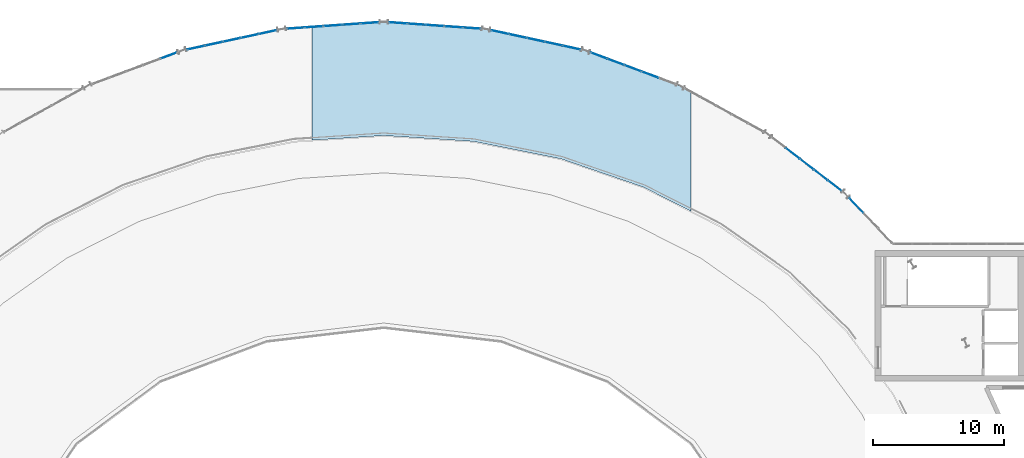
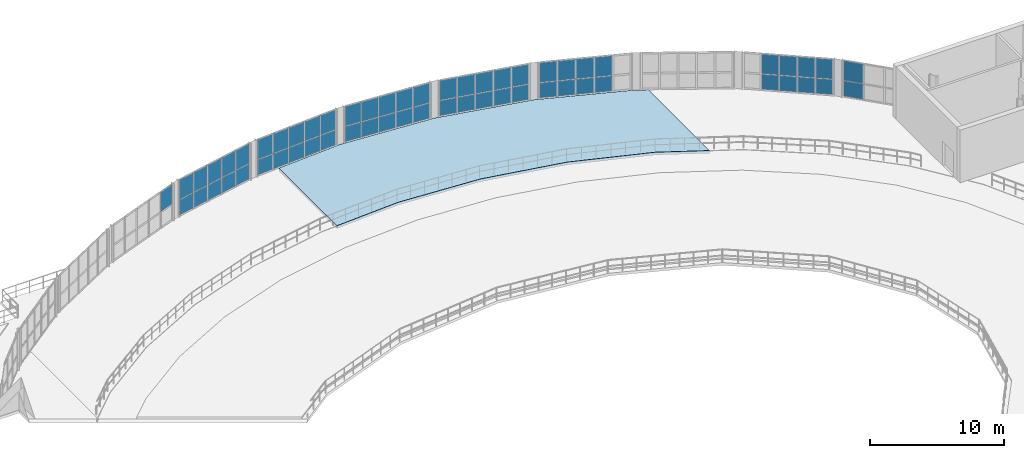
# One storey, part 29 of 40: 59 plates, 1 slab, 8 elements without a shape of their own.
"""IFC4 building model written with IfcOpenShell, lengths in metres."""

from ifc_helpers import new_model, si_unit, direction, frame, origin, origin_2d, place, context, subcontext, project, spatial, polyline, rectangle, outline, extrude, material, layer, layer_set, type_object, element, aggregate, save


model = new_model("IFC4")

# Units and contexts
model_context = context("Model", 3, precision=1e-05, world=origin(), true_north=direction((0.0, 1.0)))
body_context = subcontext(model_context, "Body", "Model", "MODEL_VIEW")
ifc_project = project(units=[si_unit("LENGTHUNIT", "METRE"), si_unit("AREAUNIT", "SQUARE_METRE"), si_unit("VOLUMEUNIT", "CUBIC_METRE"), si_unit("PLANEANGLEUNIT", "RADIAN"), si_unit("MASSUNIT", "GRAM", prefix="KILO")], contexts=[model_context])

# Site, building, storey
site_placement = place(None, origin())
site = spatial("IfcSite", under=ifc_project, at=site_placement, CompositionType="ELEMENT")
building_placement = place(site_placement, origin())
building = spatial("IfcBuilding", under=site, at=building_placement, Name="Glasvene Arena", CompositionType="ELEMENT")
storey_placement = place(building_placement, frame((0.0, 0.0, 24.0)))
storey = spatial("IfcBuildingStorey", under=building, at=storey_placement, Name="L05", CompositionType="ELEMENT", Elevation=24.0)

# Curtain wall, plate
ifc_material_1 = material(Name="Low-emissivity laminated double glazing", Category="glass")
curtain_wall_type_1 = type_object("IfcCurtainWallType", Name="CW-FAC-L05-700x332", PredefinedType="USERDEFINED", material=ifc_material_1)
curtain_wall_1_placement = place(storey_placement, frame((69.648193359375, 113.22509765625, 0.0)))
curtain_wall_1 = element("IfcCurtainWall", 1, at=curtain_wall_1_placement, inside=storey, type_object=curtain_wall_type_1, Name="Unitised curtain wall CW-F-L05-150-729-1144-16", ObjectType="CURTAIN WALL", PredefinedType="USERDEFINED")
ifc_layer_1 = layer(ifc_material_1, 0.028076171875)
ifc_layer_set_1 = layer_set([ifc_layer_1], Name="Low-emissivity laminated double glazing")
plate_type = type_object("IfcPlateType", Name="CW-GLZ-28", PredefinedType="CURTAIN_PANEL", material=ifc_layer_set_1)
plate_1_placement = place(storey_placement, frame((75.537841796875, 115.42041015625, 1.5458984375), z_axis=(0.0, 0.0, 1.0), x_axis=(0.937012154818, 0.349296753096, 0.0)))
plate_1 = element("IfcPlate", 2, at=plate_1_placement, type_object=plate_type, Name="CW-063 panel 5.2", PredefinedType="CURTAIN_PANEL", context=body_context, shape_type="SweptSolid", body=[
    extrude(rectangle(XDim=1.324462890625, YDim=0.028076171875, at=origin_2d()), origin(), (0.0, 0.0, 1.0), 1.783935546875),
])
aggregate(curtain_wall_1, [plate_1])

# Curtain wall, plates
curtain_wall_type_2 = type_object("IfcCurtainWallType", Name="CW-FAC-L05-707x332", PredefinedType="USERDEFINED", material=ifc_material_1)
curtain_wall_2_placement = place(storey_placement, frame((76.910888671875, 115.87548828125, 0.0)))
curtain_wall_2 = element("IfcCurtainWall", 3, at=curtain_wall_2_placement, inside=storey, type_object=curtain_wall_type_2, Name="Unitised curtain wall CW-F-L05-150-804-1166-17", ObjectType="CURTAIN WALL", PredefinedType="USERDEFINED")
plate_2_placement = place(storey_placement, frame((77.61376953125, 116.027587890625, 0.10986328125), z_axis=(0.0, 0.0, 1.0), x_axis=(0.977438407668, 0.211220641072, 0.0)))
plate_2 = element("IfcPlate", 4, at=plate_2_placement, type_object=plate_type, Name="CW-064 panel 1.1", PredefinedType="CURTAIN_PANEL", context=body_context, shape_type="SweptSolid", body=[
    extrude(rectangle(XDim=1.338623046875, YDim=0.028076171875, at=origin_2d()), origin(), (0.0, 0.0, 1.0), 1.385986328125),
])
plate_3_placement = place(storey_placement, frame((77.61376953125, 116.027587890625, 1.5458984375), z_axis=(0.0, 0.0, 1.0), x_axis=(0.977438407668, 0.211220641072, 0.0)))
plate_3 = element("IfcPlate", 5, at=plate_3_placement, type_object=plate_type, Name="CW-064 panel 1.2", PredefinedType="CURTAIN_PANEL", context=body_context, shape_type="SweptSolid", body=[
    extrude(rectangle(XDim=1.338623046875, YDim=0.028076171875, at=origin_2d()), origin(), (0.0, 0.0, 1.0), 1.783935546875),
])
plate_4_placement = place(storey_placement, frame((78.9833984375, 116.323486328125, 0.10986328125), z_axis=(0.0, 0.0, 1.0), x_axis=(0.977438407668, 0.211220641072, 0.0)))
plate_4 = element("IfcPlate", 6, at=plate_4_placement, type_object=plate_type, Name="CW-064 panel 2.1", PredefinedType="CURTAIN_PANEL", context=body_context, shape_type="SweptSolid", body=[
    extrude(rectangle(XDim=1.363525390625, YDim=0.028076171875, at=origin_2d()), origin(), (0.0, 0.0, 1.0), 1.385986328125),
])
plate_5_placement = place(storey_placement, frame((78.9833984375, 116.323486328125, 1.5458984375), z_axis=(0.0, 0.0, 1.0), x_axis=(0.977438407668, 0.211220641072, 0.0)))
plate_5 = element("IfcPlate", 7, at=plate_5_placement, type_object=plate_type, Name="CW-064 panel 2.2", PredefinedType="CURTAIN_PANEL", context=body_context, shape_type="SweptSolid", body=[
    extrude(rectangle(XDim=1.363525390625, YDim=0.028076171875, at=origin_2d()), origin(), (0.0, 0.0, 1.0), 1.783935546875),
])
plate_6_placement = place(storey_placement, frame((80.364990234375, 116.6220703125, 0.10986328125), z_axis=(0.0, 0.0, 1.0), x_axis=(0.977438407668, 0.211220641072, 0.0)))
plate_6 = element("IfcPlate", 8, at=plate_6_placement, type_object=plate_type, Name="CW-064 panel 3.1", PredefinedType="CURTAIN_PANEL", context=body_context, shape_type="SweptSolid", body=[
    extrude(rectangle(XDim=1.363525390625, YDim=0.028076171875, at=origin_2d()), origin(), (0.0, 0.0, 1.0), 1.385986328125),
])
plate_7_placement = place(storey_placement, frame((80.364990234375, 116.6220703125, 1.5458984375), z_axis=(0.0, 0.0, 1.0), x_axis=(0.977438407668, 0.211220641072, 0.0)))
plate_7 = element("IfcPlate", 9, at=plate_7_placement, type_object=plate_type, Name="CW-064 panel 3.2", PredefinedType="CURTAIN_PANEL", context=body_context, shape_type="SweptSolid", body=[
    extrude(rectangle(XDim=1.363525390625, YDim=0.028076171875, at=origin_2d()), origin(), (0.0, 0.0, 1.0), 1.783935546875),
])
plate_8_placement = place(storey_placement, frame((81.746826171875, 116.920654296875, 0.10986328125), z_axis=(0.0, 0.0, 1.0), x_axis=(0.977438407668, 0.211220641072, 0.0)))
plate_8 = element("IfcPlate", 10, at=plate_8_placement, type_object=plate_type, Name="CW-064 panel 4.1", PredefinedType="CURTAIN_PANEL", context=body_context, shape_type="SweptSolid", body=[
    extrude(rectangle(XDim=1.363525390625, YDim=0.028076171875, at=origin_2d()), origin(), (0.0, 0.0, 1.0), 1.385986328125),
])
plate_9_placement = place(storey_placement, frame((81.746826171875, 116.920654296875, 1.5458984375), z_axis=(0.0, 0.0, 1.0), x_axis=(0.977438407668, 0.211220641072, 0.0)))
plate_9 = element("IfcPlate", 11, at=plate_9_placement, type_object=plate_type, Name="CW-064 panel 4.2", PredefinedType="CURTAIN_PANEL", context=body_context, shape_type="SweptSolid", body=[
    extrude(rectangle(XDim=1.363525390625, YDim=0.028076171875, at=origin_2d()), origin(), (0.0, 0.0, 1.0), 1.783935546875),
])
plate_10_placement = place(storey_placement, frame((83.1162109375, 117.216552734375, 0.10986328125), z_axis=(0.0, 0.0, 1.0), x_axis=(0.977438407668, 0.211220641072, 0.0)))
plate_10 = element("IfcPlate", 12, at=plate_10_placement, type_object=plate_type, Name="CW-064 panel 5.1", PredefinedType="CURTAIN_PANEL", context=body_context, shape_type="SweptSolid", body=[
    extrude(rectangle(XDim=1.338623046875, YDim=0.028076171875, at=origin_2d()), origin(), (0.0, 0.0, 1.0), 1.385986328125),
])
plate_11_placement = place(storey_placement, frame((83.1162109375, 117.216552734375, 1.5458984375), z_axis=(0.0, 0.0, 1.0), x_axis=(0.977438407668, 0.211220641072, 0.0)))
plate_11 = element("IfcPlate", 13, at=plate_11_placement, type_object=plate_type, Name="CW-064 panel 5.2", PredefinedType="CURTAIN_PANEL", context=body_context, shape_type="SweptSolid", body=[
    extrude(rectangle(XDim=1.338623046875, YDim=0.028076171875, at=origin_2d()), origin(), (0.0, 0.0, 1.0), 1.783935546875),
])
aggregate(curtain_wall_2, [plate_2, plate_3, plate_4, plate_5, plate_6, plate_7, plate_8, plate_9, plate_10, plate_11])

curtain_wall_type_3 = type_object("IfcCurtainWallType", Name="CW-FAC-L05-710x332", PredefinedType="USERDEFINED", material=ifc_material_1)
curtain_wall_3_placement = place(storey_placement, frame((84.546142578125, 117.471923828125, 0.0)))
curtain_wall_3 = element("IfcCurtainWall", 14, at=curtain_wall_3_placement, inside=storey, type_object=curtain_wall_type_3, Name="Unitised curtain wall CW-F-L05-150-881-1177-18", ObjectType="CURTAIN WALL", PredefinedType="USERDEFINED")
plate_12_placement = place(storey_placement, frame((85.267333984375, 117.523193359375, 0.10986328125), z_axis=(0.0, 0.0, 1.0), x_axis=(0.997500679029, 0.070656884566, 0.0)))
plate_12 = element("IfcPlate", 15, at=plate_12_placement, type_object=plate_type, Name="CW-065 panel 1.1", PredefinedType="CURTAIN_PANEL", context=body_context, shape_type="SweptSolid", body=[
    extrude(rectangle(XDim=1.345947265625, YDim=0.028076171875, at=origin_2d()), origin(), (0.0, 0.0, 1.0), 1.385986328125),
])
plate_13_placement = place(storey_placement, frame((85.267333984375, 117.523193359375, 1.5458984375), z_axis=(0.0, 0.0, 1.0), x_axis=(0.997500679029, 0.070656884566, 0.0)))
plate_13 = element("IfcPlate", 16, at=plate_13_placement, type_object=plate_type, Name="CW-065 panel 1.2", PredefinedType="CURTAIN_PANEL", context=body_context, shape_type="SweptSolid", body=[
    extrude(rectangle(XDim=1.345947265625, YDim=0.028076171875, at=origin_2d()), origin(), (0.0, 0.0, 1.0), 1.783935546875),
])
plate_14_placement = place(storey_placement, frame((86.672119140625, 117.62255859375, 0.10986328125), z_axis=(0.0, 0.0, 1.0), x_axis=(0.997500679029, 0.070656884566, 0.0)))
plate_14 = element("IfcPlate", 17, at=plate_14_placement, type_object=plate_type, Name="CW-065 panel 2.1", PredefinedType="CURTAIN_PANEL", context=body_context, shape_type="SweptSolid", body=[
    extrude(rectangle(XDim=1.370849609375, YDim=0.028076171875, at=origin_2d()), origin(), (0.0, 0.0, 1.0), 1.385986328125),
])
plate_15_placement = place(storey_placement, frame((86.672119140625, 117.62255859375, 1.5458984375), z_axis=(0.0, 0.0, 1.0), x_axis=(0.997500679029, 0.070656884566, 0.0)))
plate_15 = element("IfcPlate", 18, at=plate_15_placement, type_object=plate_type, Name="CW-065 panel 2.2", PredefinedType="CURTAIN_PANEL", context=body_context, shape_type="SweptSolid", body=[
    extrude(rectangle(XDim=1.370849609375, YDim=0.028076171875, at=origin_2d()), origin(), (0.0, 0.0, 1.0), 1.783935546875),
])
plate_16_placement = place(storey_placement, frame((88.089599609375, 117.722900390625, 0.10986328125), z_axis=(0.0, 0.0, 1.0), x_axis=(0.997500679029, 0.070656884566, 0.0)))
plate_16 = element("IfcPlate", 19, at=plate_16_placement, type_object=plate_type, Name="CW-065 panel 3.1", PredefinedType="CURTAIN_PANEL", context=body_context, shape_type="SweptSolid", body=[
    extrude(rectangle(XDim=1.370849609375, YDim=0.028076171875, at=origin_2d()), origin(), (0.0, 0.0, 1.0), 1.385986328125),
])
plate_17_placement = place(storey_placement, frame((88.089599609375, 117.722900390625, 1.5458984375), z_axis=(0.0, 0.0, 1.0), x_axis=(0.997500679029, 0.070656884566, 0.0)))
plate_17 = element("IfcPlate", 20, at=plate_17_placement, type_object=plate_type, Name="CW-065 panel 3.2", PredefinedType="CURTAIN_PANEL", context=body_context, shape_type="SweptSolid", body=[
    extrude(rectangle(XDim=1.370849609375, YDim=0.028076171875, at=origin_2d()), origin(), (0.0, 0.0, 1.0), 1.783935546875),
])
plate_18_placement = place(storey_placement, frame((89.507080078125, 117.823486328125, 0.10986328125), z_axis=(0.0, 0.0, 1.0), x_axis=(0.997500679029, 0.070656884566, 0.0)))
plate_18 = element("IfcPlate", 21, at=plate_18_placement, type_object=plate_type, Name="CW-065 panel 4.1", PredefinedType="CURTAIN_PANEL", context=body_context, shape_type="SweptSolid", body=[
    extrude(rectangle(XDim=1.370849609375, YDim=0.028076171875, at=origin_2d()), origin(), (0.0, 0.0, 1.0), 1.385986328125),
])
plate_19_placement = place(storey_placement, frame((89.507080078125, 117.823486328125, 1.5458984375), z_axis=(0.0, 0.0, 1.0), x_axis=(0.997500679029, 0.070656884566, 0.0)))
plate_19 = element("IfcPlate", 22, at=plate_19_placement, type_object=plate_type, Name="CW-065 panel 4.2", PredefinedType="CURTAIN_PANEL", context=body_context, shape_type="SweptSolid", body=[
    extrude(rectangle(XDim=1.370849609375, YDim=0.028076171875, at=origin_2d()), origin(), (0.0, 0.0, 1.0), 1.783935546875),
])
plate_20_placement = place(storey_placement, frame((90.911865234375, 117.9228515625, 0.10986328125), z_axis=(0.0, 0.0, 1.0), x_axis=(0.997500679029, 0.070656884566, 0.0)))
plate_20 = element("IfcPlate", 23, at=plate_20_placement, type_object=plate_type, Name="CW-065 panel 5.1", PredefinedType="CURTAIN_PANEL", context=body_context, shape_type="SweptSolid", body=[
    extrude(rectangle(XDim=1.345947265625, YDim=0.028076171875, at=origin_2d()), origin(), (0.0, 0.0, 1.0), 1.385986328125),
])
plate_21_placement = place(storey_placement, frame((90.911865234375, 117.9228515625, 1.5458984375), z_axis=(0.0, 0.0, 1.0), x_axis=(0.997500679029, 0.070656884566, 0.0)))
plate_21 = element("IfcPlate", 24, at=plate_21_placement, type_object=plate_type, Name="CW-065 panel 5.2", PredefinedType="CURTAIN_PANEL", context=body_context, shape_type="SweptSolid", body=[
    extrude(rectangle(XDim=1.345947265625, YDim=0.028076171875, at=origin_2d()), origin(), (0.0, 0.0, 1.0), 1.783935546875),
])
aggregate(curtain_wall_3, [plate_12, plate_13, plate_14, plate_15, plate_16, plate_17, plate_18, plate_19, plate_20, plate_21])

curtain_wall_4_placement = place(storey_placement, frame((92.366943359375, 117.97412109375, 0.0)))
curtain_wall_4 = element("IfcCurtainWall", 25, at=curtain_wall_4_placement, inside=storey, type_object=curtain_wall_type_3, Name="Unitised curtain wall CW-F-L05-150-959-1177-19", ObjectType="CURTAIN WALL", PredefinedType="USERDEFINED")
plate_22_placement = place(storey_placement, frame((93.088134765625, 117.9228515625, 0.10986328125), z_axis=(0.0, 0.0, 1.0), x_axis=(0.997500679029, -0.070656884566, 0.0)))
plate_22 = element("IfcPlate", 26, at=plate_22_placement, type_object=plate_type, Name="CW-065 panel 1.1", PredefinedType="CURTAIN_PANEL", context=body_context, shape_type="SweptSolid", body=[
    extrude(rectangle(XDim=1.345947265625, YDim=0.028076171875, at=origin_2d()), origin(), (0.0, 0.0, 1.0), 1.385986328125),
])
plate_23_placement = place(storey_placement, frame((93.088134765625, 117.9228515625, 1.5458984375), z_axis=(0.0, 0.0, 1.0), x_axis=(0.997500679029, -0.070656884566, 0.0)))
plate_23 = element("IfcPlate", 27, at=plate_23_placement, type_object=plate_type, Name="CW-065 panel 1.2", PredefinedType="CURTAIN_PANEL", context=body_context, shape_type="SweptSolid", body=[
    extrude(rectangle(XDim=1.345947265625, YDim=0.028076171875, at=origin_2d()), origin(), (0.0, 0.0, 1.0), 1.783935546875),
])
plate_24_placement = place(storey_placement, frame((94.492919921875, 117.823486328125, 0.10986328125), z_axis=(0.0, 0.0, 1.0), x_axis=(0.997500679029, -0.070656884566, 0.0)))
plate_24 = element("IfcPlate", 28, at=plate_24_placement, type_object=plate_type, Name="CW-065 panel 2.1", PredefinedType="CURTAIN_PANEL", context=body_context, shape_type="SweptSolid", body=[
    extrude(rectangle(XDim=1.370849609375, YDim=0.028076171875, at=origin_2d()), origin(), (0.0, 0.0, 1.0), 1.385986328125),
])
plate_25_placement = place(storey_placement, frame((94.492919921875, 117.823486328125, 1.5458984375), z_axis=(0.0, 0.0, 1.0), x_axis=(0.997500679029, -0.070656884566, 0.0)))
plate_25 = element("IfcPlate", 29, at=plate_25_placement, type_object=plate_type, Name="CW-065 panel 2.2", PredefinedType="CURTAIN_PANEL", context=body_context, shape_type="SweptSolid", body=[
    extrude(rectangle(XDim=1.370849609375, YDim=0.028076171875, at=origin_2d()), origin(), (0.0, 0.0, 1.0), 1.783935546875),
])
plate_26_placement = place(storey_placement, frame((95.910400390625, 117.722900390625, 0.10986328125), z_axis=(0.0, 0.0, 1.0), x_axis=(0.997500679029, -0.070656884566, 0.0)))
plate_26 = element("IfcPlate", 30, at=plate_26_placement, type_object=plate_type, Name="CW-065 panel 3.1", PredefinedType="CURTAIN_PANEL", context=body_context, shape_type="SweptSolid", body=[
    extrude(rectangle(XDim=1.370849609375, YDim=0.028076171875, at=origin_2d()), origin(), (0.0, 0.0, 1.0), 1.385986328125),
])
plate_27_placement = place(storey_placement, frame((95.910400390625, 117.722900390625, 1.5458984375), z_axis=(0.0, 0.0, 1.0), x_axis=(0.997500679029, -0.070656884566, 0.0)))
plate_27 = element("IfcPlate", 31, at=plate_27_placement, type_object=plate_type, Name="CW-065 panel 3.2", PredefinedType="CURTAIN_PANEL", context=body_context, shape_type="SweptSolid", body=[
    extrude(rectangle(XDim=1.370849609375, YDim=0.028076171875, at=origin_2d()), origin(), (0.0, 0.0, 1.0), 1.783935546875),
])
plate_28_placement = place(storey_placement, frame((97.327880859375, 117.62255859375, 0.10986328125), z_axis=(0.0, 0.0, 1.0), x_axis=(0.997500679029, -0.070656884566, 0.0)))
plate_28 = element("IfcPlate", 32, at=plate_28_placement, type_object=plate_type, Name="CW-065 panel 4.1", PredefinedType="CURTAIN_PANEL", context=body_context, shape_type="SweptSolid", body=[
    extrude(rectangle(XDim=1.370849609375, YDim=0.028076171875, at=origin_2d()), origin(), (0.0, 0.0, 1.0), 1.385986328125),
])
plate_29_placement = place(storey_placement, frame((97.327880859375, 117.62255859375, 1.5458984375), z_axis=(0.0, 0.0, 1.0), x_axis=(0.997500679029, -0.070656884566, 0.0)))
plate_29 = element("IfcPlate", 33, at=plate_29_placement, type_object=plate_type, Name="CW-065 panel 4.2", PredefinedType="CURTAIN_PANEL", context=body_context, shape_type="SweptSolid", body=[
    extrude(rectangle(XDim=1.370849609375, YDim=0.028076171875, at=origin_2d()), origin(), (0.0, 0.0, 1.0), 1.783935546875),
])
plate_30_placement = place(storey_placement, frame((98.732666015625, 117.523193359375, 0.10986328125), z_axis=(0.0, 0.0, 1.0), x_axis=(0.997500679029, -0.070656884566, 0.0)))
plate_30 = element("IfcPlate", 34, at=plate_30_placement, type_object=plate_type, Name="CW-065 panel 5.1", PredefinedType="CURTAIN_PANEL", context=body_context, shape_type="SweptSolid", body=[
    extrude(rectangle(XDim=1.345947265625, YDim=0.028076171875, at=origin_2d()), origin(), (0.0, 0.0, 1.0), 1.385986328125),
])
plate_31_placement = place(storey_placement, frame((98.732666015625, 117.523193359375, 1.5458984375), z_axis=(0.0, 0.0, 1.0), x_axis=(0.997500679029, -0.070656884566, 0.0)))
plate_31 = element("IfcPlate", 35, at=plate_31_placement, type_object=plate_type, Name="CW-065 panel 5.2", PredefinedType="CURTAIN_PANEL", context=body_context, shape_type="SweptSolid", body=[
    extrude(rectangle(XDim=1.345947265625, YDim=0.028076171875, at=origin_2d()), origin(), (0.0, 0.0, 1.0), 1.783935546875),
])
aggregate(curtain_wall_4, [plate_22, plate_23, plate_24, plate_25, plate_26, plate_27, plate_28, plate_29, plate_30, plate_31])

curtain_wall_5_placement = place(storey_placement, frame((100.1806640625, 117.368408203125, 0.0)))
curtain_wall_5 = element("IfcCurtainWall", 36, at=curtain_wall_5_placement, inside=storey, type_object=curtain_wall_type_2, Name="Unitised curtain wall CW-F-L05-150-1036-1166-20", ObjectType="CURTAIN WALL", PredefinedType="USERDEFINED")
plate_32_placement = place(storey_placement, frame((100.8837890625, 117.216552734375, 0.10986328125), z_axis=(0.0, 0.0, 1.0), x_axis=(0.977438407668, -0.211220641072, 0.0)))
plate_32 = element("IfcPlate", 37, at=plate_32_placement, type_object=plate_type, Name="CW-064 panel 1.1", PredefinedType="CURTAIN_PANEL", context=body_context, shape_type="SweptSolid", body=[
    extrude(rectangle(XDim=1.338623046875, YDim=0.028076171875, at=origin_2d()), origin(), (0.0, 0.0, 1.0), 1.385986328125),
])
plate_33_placement = place(storey_placement, frame((100.8837890625, 117.216552734375, 1.5458984375), z_axis=(0.0, 0.0, 1.0), x_axis=(0.977438407668, -0.211220641072, 0.0)))
plate_33 = element("IfcPlate", 38, at=plate_33_placement, type_object=plate_type, Name="CW-064 panel 1.2", PredefinedType="CURTAIN_PANEL", context=body_context, shape_type="SweptSolid", body=[
    extrude(rectangle(XDim=1.338623046875, YDim=0.028076171875, at=origin_2d()), origin(), (0.0, 0.0, 1.0), 1.783935546875),
])
plate_34_placement = place(storey_placement, frame((102.253173828125, 116.920654296875, 0.10986328125), z_axis=(0.0, 0.0, 1.0), x_axis=(0.977438407668, -0.211220641072, 0.0)))
plate_34 = element("IfcPlate", 39, at=plate_34_placement, type_object=plate_type, Name="CW-064 panel 2.1", PredefinedType="CURTAIN_PANEL", context=body_context, shape_type="SweptSolid", body=[
    extrude(rectangle(XDim=1.363525390625, YDim=0.028076171875, at=origin_2d()), origin(), (0.0, 0.0, 1.0), 1.385986328125),
])
plate_35_placement = place(storey_placement, frame((102.253173828125, 116.920654296875, 1.5458984375), z_axis=(0.0, 0.0, 1.0), x_axis=(0.977438407668, -0.211220641072, 0.0)))
plate_35 = element("IfcPlate", 40, at=plate_35_placement, type_object=plate_type, Name="CW-064 panel 2.2", PredefinedType="CURTAIN_PANEL", context=body_context, shape_type="SweptSolid", body=[
    extrude(rectangle(XDim=1.363525390625, YDim=0.028076171875, at=origin_2d()), origin(), (0.0, 0.0, 1.0), 1.783935546875),
])
plate_36_placement = place(storey_placement, frame((103.635009765625, 116.6220703125, 0.10986328125), z_axis=(0.0, 0.0, 1.0), x_axis=(0.977438407668, -0.211220641072, 0.0)))
plate_36 = element("IfcPlate", 41, at=plate_36_placement, type_object=plate_type, Name="CW-064 panel 3.1", PredefinedType="CURTAIN_PANEL", context=body_context, shape_type="SweptSolid", body=[
    extrude(rectangle(XDim=1.363525390625, YDim=0.028076171875, at=origin_2d()), origin(), (0.0, 0.0, 1.0), 1.385986328125),
])
plate_37_placement = place(storey_placement, frame((103.635009765625, 116.6220703125, 1.5458984375), z_axis=(0.0, 0.0, 1.0), x_axis=(0.977438407668, -0.211220641072, 0.0)))
plate_37 = element("IfcPlate", 42, at=plate_37_placement, type_object=plate_type, Name="CW-064 panel 3.2", PredefinedType="CURTAIN_PANEL", context=body_context, shape_type="SweptSolid", body=[
    extrude(rectangle(XDim=1.363525390625, YDim=0.028076171875, at=origin_2d()), origin(), (0.0, 0.0, 1.0), 1.783935546875),
])
plate_38_placement = place(storey_placement, frame((105.0166015625, 116.323486328125, 0.10986328125), z_axis=(0.0, 0.0, 1.0), x_axis=(0.977438407668, -0.211220641072, 0.0)))
plate_38 = element("IfcPlate", 43, at=plate_38_placement, type_object=plate_type, Name="CW-064 panel 4.1", PredefinedType="CURTAIN_PANEL", context=body_context, shape_type="SweptSolid", body=[
    extrude(rectangle(XDim=1.363525390625, YDim=0.028076171875, at=origin_2d()), origin(), (0.0, 0.0, 1.0), 1.385986328125),
])
plate_39_placement = place(storey_placement, frame((105.0166015625, 116.323486328125, 1.5458984375), z_axis=(0.0, 0.0, 1.0), x_axis=(0.977438407668, -0.211220641072, 0.0)))
plate_39 = element("IfcPlate", 44, at=plate_39_placement, type_object=plate_type, Name="CW-064 panel 4.2", PredefinedType="CURTAIN_PANEL", context=body_context, shape_type="SweptSolid", body=[
    extrude(rectangle(XDim=1.363525390625, YDim=0.028076171875, at=origin_2d()), origin(), (0.0, 0.0, 1.0), 1.783935546875),
])
plate_40_placement = place(storey_placement, frame((106.38623046875, 116.027587890625, 0.10986328125), z_axis=(0.0, 0.0, 1.0), x_axis=(0.977438407668, -0.211220641072, 0.0)))
plate_40 = element("IfcPlate", 45, at=plate_40_placement, type_object=plate_type, Name="CW-064 panel 5.1", PredefinedType="CURTAIN_PANEL", context=body_context, shape_type="SweptSolid", body=[
    extrude(rectangle(XDim=1.338623046875, YDim=0.028076171875, at=origin_2d()), origin(), (0.0, 0.0, 1.0), 1.385986328125),
])
plate_41_placement = place(storey_placement, frame((106.38623046875, 116.027587890625, 1.5458984375), z_axis=(0.0, 0.0, 1.0), x_axis=(0.977438407668, -0.211220641072, 0.0)))
plate_41 = element("IfcPlate", 46, at=plate_41_placement, type_object=plate_type, Name="CW-064 panel 5.2", PredefinedType="CURTAIN_PANEL", context=body_context, shape_type="SweptSolid", body=[
    extrude(rectangle(XDim=1.338623046875, YDim=0.028076171875, at=origin_2d()), origin(), (0.0, 0.0, 1.0), 1.783935546875),
])
aggregate(curtain_wall_5, [plate_32, plate_33, plate_34, plate_35, plate_36, plate_37, plate_38, plate_39, plate_40, plate_41])

curtain_wall_6_placement = place(storey_placement, frame((107.794677734375, 115.669189453125, 0.0)))
curtain_wall_6 = element("IfcCurtainWall", 47, at=curtain_wall_6_placement, inside=storey, type_object=curtain_wall_type_1, Name="Unitised curtain wall CW-F-L05-150-1111-1144-21", ObjectType="CURTAIN WALL", PredefinedType="USERDEFINED")
plate_42_placement = place(storey_placement, frame((108.462158203125, 115.42041015625, 0.10986328125), z_axis=(0.0, 0.0, 1.0), x_axis=(0.937012154818, -0.349296753096, 0.0)))
plate_42 = element("IfcPlate", 48, at=plate_42_placement, type_object=plate_type, Name="CW-063 panel 1.1", PredefinedType="CURTAIN_PANEL", context=body_context, shape_type="SweptSolid", body=[
    extrude(rectangle(XDim=1.324462890625, YDim=0.028076171875, at=origin_2d()), origin(), (0.0, 0.0, 1.0), 1.385986328125),
])
plate_43_placement = place(storey_placement, frame((108.462158203125, 115.42041015625, 1.5458984375), z_axis=(0.0, 0.0, 1.0), x_axis=(0.937012154818, -0.349296753096, 0.0)))
plate_43 = element("IfcPlate", 49, at=plate_43_placement, type_object=plate_type, Name="CW-063 panel 1.2", PredefinedType="CURTAIN_PANEL", context=body_context, shape_type="SweptSolid", body=[
    extrude(rectangle(XDim=1.324462890625, YDim=0.028076171875, at=origin_2d()), origin(), (0.0, 0.0, 1.0), 1.783935546875),
])
plate_44_placement = place(storey_placement, frame((109.76171875, 114.93603515625, 0.10986328125), z_axis=(0.0, 0.0, 1.0), x_axis=(0.937012154818, -0.349296753096, 0.0)))
plate_44 = element("IfcPlate", 50, at=plate_44_placement, type_object=plate_type, Name="CW-063 panel 2.1", PredefinedType="CURTAIN_PANEL", context=body_context, shape_type="SweptSolid", body=[
    extrude(rectangle(XDim=1.349609375, YDim=0.028076171875, at=origin_2d()), origin(), (0.0, 0.0, 1.0), 1.385986328125),
])
plate_45_placement = place(storey_placement, frame((109.76171875, 114.93603515625, 1.5458984375), z_axis=(0.0, 0.0, 1.0), x_axis=(0.937012154818, -0.349296753096, 0.0)))
plate_45 = element("IfcPlate", 51, at=plate_45_placement, type_object=plate_type, Name="CW-063 panel 2.2", PredefinedType="CURTAIN_PANEL", context=body_context, shape_type="SweptSolid", body=[
    extrude(rectangle(XDim=1.349609375, YDim=0.028076171875, at=origin_2d()), origin(), (0.0, 0.0, 1.0), 1.783935546875),
])
plate_46_placement = place(storey_placement, frame((111.0732421875, 114.447265625, 0.10986328125), z_axis=(0.0, 0.0, 1.0), x_axis=(0.937012154818, -0.349296753096, 0.0)))
plate_46 = element("IfcPlate", 52, at=plate_46_placement, type_object=plate_type, Name="CW-063 panel 3.1", PredefinedType="CURTAIN_PANEL", context=body_context, shape_type="SweptSolid", body=[
    extrude(rectangle(XDim=1.349609375, YDim=0.028076171875, at=origin_2d()), origin(), (0.0, 0.0, 1.0), 1.385986328125),
])
plate_47_placement = place(storey_placement, frame((111.0732421875, 114.447265625, 1.5458984375), z_axis=(0.0, 0.0, 1.0), x_axis=(0.937012154818, -0.349296753096, 0.0)))
plate_47 = element("IfcPlate", 53, at=plate_47_placement, type_object=plate_type, Name="CW-063 panel 3.2", PredefinedType="CURTAIN_PANEL", context=body_context, shape_type="SweptSolid", body=[
    extrude(rectangle(XDim=1.349609375, YDim=0.028076171875, at=origin_2d()), origin(), (0.0, 0.0, 1.0), 1.783935546875),
])
plate_48_placement = place(storey_placement, frame((112.384521484375, 113.958251953125, 0.10986328125), z_axis=(0.0, 0.0, 1.0), x_axis=(0.937012154818, -0.349296753096, 0.0)))
plate_48 = element("IfcPlate", 54, at=plate_48_placement, type_object=plate_type, Name="CW-063 panel 4.1", PredefinedType="CURTAIN_PANEL", context=body_context, shape_type="SweptSolid", body=[
    extrude(rectangle(XDim=1.349609375, YDim=0.028076171875, at=origin_2d()), origin(), (0.0, 0.0, 1.0), 1.385986328125),
])
plate_49_placement = place(storey_placement, frame((112.384521484375, 113.958251953125, 1.5458984375), z_axis=(0.0, 0.0, 1.0), x_axis=(0.937012154818, -0.349296753096, 0.0)))
plate_49 = element("IfcPlate", 55, at=plate_49_placement, type_object=plate_type, Name="CW-063 panel 4.2", PredefinedType="CURTAIN_PANEL", context=body_context, shape_type="SweptSolid", body=[
    extrude(rectangle(XDim=1.349609375, YDim=0.028076171875, at=origin_2d()), origin(), (0.0, 0.0, 1.0), 1.783935546875),
])
aggregate(curtain_wall_6, [plate_42, plate_43, plate_44, plate_45, plate_46, plate_47, plate_48, plate_49])

curtain_wall_type_4 = type_object("IfcCurtainWallType", Name="CW-FAC-L05-679x332", PredefinedType="USERDEFINED", material=ifc_material_1)
curtain_wall_7_placement = place(storey_placement, frame((121.680419921875, 109.18212890625, 0.0)))
curtain_wall_7 = element("IfcCurtainWall", 56, at=curtain_wall_7_placement, inside=storey, type_object=curtain_wall_type_4, Name="Unitised curtain wall CW-F-L05-150-1244-1071-23", ObjectType="CURTAIN WALL", PredefinedType="USERDEFINED")
plate_50_placement = place(storey_placement, frame((123.294189453125, 107.941650390625, 0.10986328125), z_axis=(0.0, 0.0, 1.0), x_axis=(0.792839799008, -0.609430105187, 0.0)))
plate_50 = element("IfcPlate", 57, at=plate_50_placement, type_object=plate_type, Name="CW-061 panel 2.1", PredefinedType="CURTAIN_PANEL", context=body_context, shape_type="SweptSolid", body=[
    extrude(rectangle(XDim=1.30712890625, YDim=0.028076171875, at=origin_2d()), origin(), (0.0, 0.0, 1.0), 1.385986328125),
])
plate_51_placement = place(storey_placement, frame((123.294189453125, 107.941650390625, 1.5458984375), z_axis=(0.0, 0.0, 1.0), x_axis=(0.792839799008, -0.609430105187, 0.0)))
plate_51 = element("IfcPlate", 58, at=plate_51_placement, type_object=plate_type, Name="CW-061 panel 2.2", PredefinedType="CURTAIN_PANEL", context=body_context, shape_type="SweptSolid", body=[
    extrude(rectangle(XDim=1.30712890625, YDim=0.028076171875, at=origin_2d()), origin(), (0.0, 0.0, 1.0), 1.783935546875),
])
plate_52_placement = place(storey_placement, frame((124.3701171875, 107.114501953125, 0.10986328125), z_axis=(0.0, 0.0, 1.0), x_axis=(0.792839799008, -0.609430105187, 0.0)))
plate_52 = element("IfcPlate", 59, at=plate_52_placement, type_object=plate_type, Name="CW-061 panel 3.1", PredefinedType="CURTAIN_PANEL", context=body_context, shape_type="SweptSolid", body=[
    extrude(rectangle(XDim=1.30712890625, YDim=0.028076171875, at=origin_2d()), origin(), (0.0, 0.0, 1.0), 1.385986328125),
])
plate_53_placement = place(storey_placement, frame((124.3701171875, 107.114501953125, 1.5458984375), z_axis=(0.0, 0.0, 1.0), x_axis=(0.792839799008, -0.609430105187, 0.0)))
plate_53 = element("IfcPlate", 60, at=plate_53_placement, type_object=plate_type, Name="CW-061 panel 3.2", PredefinedType="CURTAIN_PANEL", context=body_context, shape_type="SweptSolid", body=[
    extrude(rectangle(XDim=1.30712890625, YDim=0.028076171875, at=origin_2d()), origin(), (0.0, 0.0, 1.0), 1.783935546875),
])
plate_54_placement = place(storey_placement, frame((125.446044921875, 106.287353515625, 0.10986328125), z_axis=(0.0, 0.0, 1.0), x_axis=(0.792839799008, -0.609430105187, 0.0)))
plate_54 = element("IfcPlate", 61, at=plate_54_placement, type_object=plate_type, Name="CW-061 panel 4.1", PredefinedType="CURTAIN_PANEL", context=body_context, shape_type="SweptSolid", body=[
    extrude(rectangle(XDim=1.30712890625, YDim=0.028076171875, at=origin_2d()), origin(), (0.0, 0.0, 1.0), 1.385986328125),
])
plate_55_placement = place(storey_placement, frame((125.446044921875, 106.287353515625, 1.5458984375), z_axis=(0.0, 0.0, 1.0), x_axis=(0.792839799008, -0.609430105187, 0.0)))
plate_55 = element("IfcPlate", 62, at=plate_55_placement, type_object=plate_type, Name="CW-061 panel 4.2", PredefinedType="CURTAIN_PANEL", context=body_context, shape_type="SweptSolid", body=[
    extrude(rectangle(XDim=1.30712890625, YDim=0.028076171875, at=origin_2d()), origin(), (0.0, 0.0, 1.0), 1.783935546875),
])
plate_56_placement = place(storey_placement, frame((126.51220703125, 105.468017578125, 0.10986328125), z_axis=(0.0, 0.0, 1.0), x_axis=(0.792839799008, -0.609430105187, 0.0)))
plate_56 = element("IfcPlate", 63, at=plate_56_placement, type_object=plate_type, Name="CW-061 panel 5.1", PredefinedType="CURTAIN_PANEL", context=body_context, shape_type="SweptSolid", body=[
    extrude(rectangle(XDim=1.281982421875, YDim=0.028076171875, at=origin_2d()), origin(), (0.0, 0.0, 1.0), 1.385986328125),
])
plate_57_placement = place(storey_placement, frame((126.51220703125, 105.468017578125, 1.5458984375), z_axis=(0.0, 0.0, 1.0), x_axis=(0.792839799008, -0.609430105187, 0.0)))
plate_57 = element("IfcPlate", 64, at=plate_57_placement, type_object=plate_type, Name="CW-061 panel 5.2", PredefinedType="CURTAIN_PANEL", context=body_context, shape_type="SweptSolid", body=[
    extrude(rectangle(XDim=1.281982421875, YDim=0.028076171875, at=origin_2d()), origin(), (0.0, 0.0, 1.0), 1.783935546875),
])
aggregate(curtain_wall_7, [plate_50, plate_51, plate_52, plate_53, plate_54, plate_55, plate_56, plate_57])

curtain_wall_type_5 = type_object("IfcCurtainWallType", Name="CW-FAC-L05-486x332", PredefinedType="USERDEFINED", material=ifc_material_1)
curtain_wall_8_placement = place(storey_placement, frame((127.60791015625, 104.553466796875, 0.0)))
curtain_wall_8 = element("IfcCurtainWall", 65, at=curtain_wall_8_placement, inside=storey, type_object=curtain_wall_type_5, Name="Unitised curtain wall CW-F-L05-150-1293-1028-24", ObjectType="CURTAIN WALL", PredefinedType="USERDEFINED")
plate_58_placement = place(storey_placement, frame((128.174072265625, 103.95703125, 0.10986328125), z_axis=(0.0, 0.0, 1.0), x_axis=(0.688362630685, -0.725366727026, 0.0)))
plate_58 = element("IfcPlate", 66, at=plate_58_placement, type_object=plate_type, Name="CW-060 panel 1.1", PredefinedType="CURTAIN_PANEL", context=body_context, shape_type="SweptSolid", body=[
    extrude(rectangle(XDim=1.544677734375, YDim=0.028076171875, at=origin_2d()), origin(), (0.0, 0.0, 1.0), 1.385986328125),
])
plate_59_placement = place(storey_placement, frame((128.174072265625, 103.95703125, 1.5458984375), z_axis=(0.0, 0.0, 1.0), x_axis=(0.688362630685, -0.725366727026, 0.0)))
plate_59 = element("IfcPlate", 67, at=plate_59_placement, type_object=plate_type, Name="CW-060 panel 1.2", PredefinedType="CURTAIN_PANEL", context=body_context, shape_type="SweptSolid", body=[
    extrude(rectangle(XDim=1.544677734375, YDim=0.028076171875, at=origin_2d()), origin(), (0.0, 0.0, 1.0), 1.783935546875),
])
aggregate(curtain_wall_8, [plate_58, plate_59])

# Slab
ifc_material_2 = material(Name="Concrete C40/50", Category="concrete")
ifc_layer_2 = layer(ifc_material_2, 0.25)
ifc_layer_set_2 = layer_set([ifc_layer_2], Name="Concrete C40/50")
slab_type = type_object("IfcSlabType", Name="SL-UPPER-250", PredefinedType="FLOOR", material=ifc_layer_set_2)
slab_placement = place(storey_placement, frame((102.18701171875, 111.506103515625, -0.25)))
element("IfcSlab", 68, at=slab_placement, inside=storey, type_object=slab_type, Name="Structural floor slab L05 sector 4-4 (126)", PredefinedType="FLOOR", context=body_context, shape_type="SweptSolid", body=[
    extrude(outline(polyline([(-10.18701171875, 6.493896484375), (-2.365234375, 5.93994140625), (5.263671875, 4.29150390625), (12.512451171875, 1.589111328125), (13.31298828125, 1.147705078125), (13.31298828125, -7.99853515625), (9.69775390625, -6.16259765625), (3.347900390625, -3.982666015625), (-3.335205078125, -2.653076171875), (-10.18701171875, -2.2060546875), (-15.68701171875, -2.564697265625), (-15.68701171875, 6.104248046875), (-10.18701171875, 6.493896484375)])), origin(), (0.0, 0.0, 1.0), 0.25),
])

save(model, "model.ifc")
